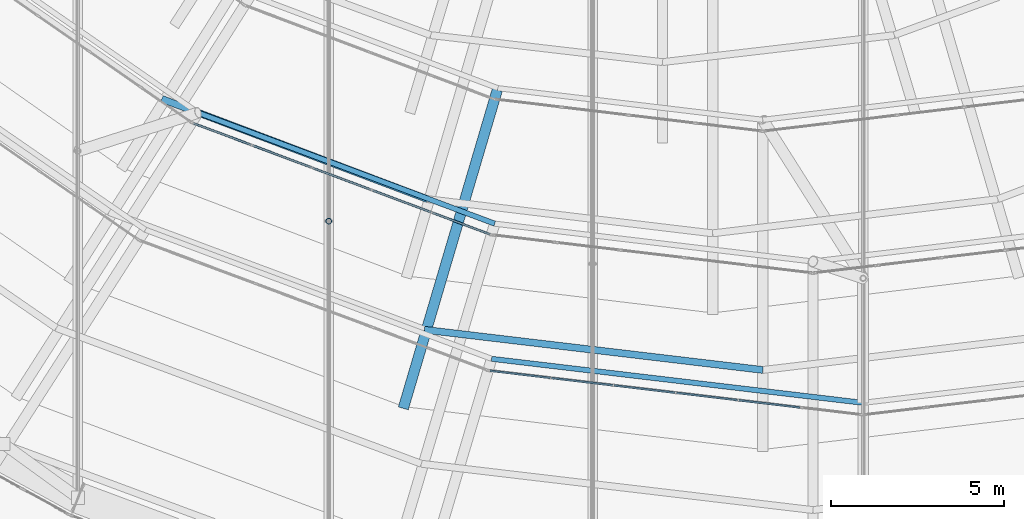
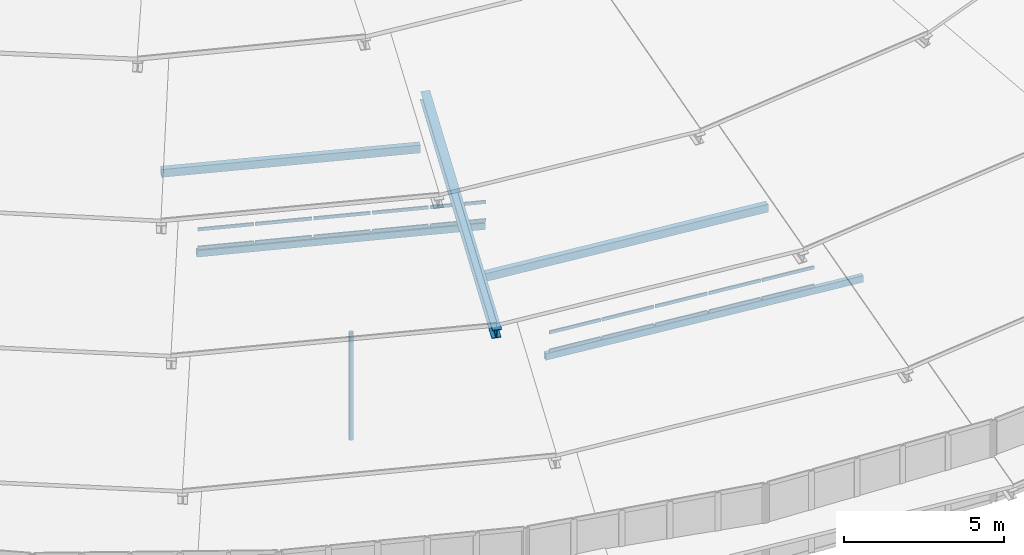
# One storey, part 11 of 173: 26 members, 2 elements without a shape of their own.
"""IFC4 building model written with IfcOpenShell, lengths in metres."""

from ifc_helpers import new_model, si_unit, direction, frame, origin, origin_2d, place, context, subcontext, project, spatial, rectangle, hollow_rectangle, hollow_circle, i_section, extrude, material, material_profile, profile_set, type_object, element, aggregate, save


model = new_model("IFC4")

# Units and contexts
model_context = context("Model", 3, precision=1e-05, world=origin(), true_north=direction((0.0, 1.0)))
body_context = subcontext(model_context, "Body", "Model", "MODEL_VIEW")
ifc_project = project(units=[si_unit("LENGTHUNIT", "METRE"), si_unit("AREAUNIT", "SQUARE_METRE"), si_unit("VOLUMEUNIT", "CUBIC_METRE"), si_unit("PLANEANGLEUNIT", "RADIAN"), si_unit("MASSUNIT", "GRAM", prefix="KILO")], contexts=[model_context])

# Site, building, storey
site_placement = place(None, origin())
site = spatial("IfcSite", under=ifc_project, at=site_placement, CompositionType="ELEMENT")
building_placement = place(site_placement, origin())
building = spatial("IfcBuilding", under=site, at=building_placement, Name="Glasvene Arena", CompositionType="ELEMENT")
storey_placement = place(building_placement, frame((0.0, 0.0, 28.800048828125)))
storey = spatial("IfcBuildingStorey", under=building, at=storey_placement, Name="RF", CompositionType="ELEMENT", Elevation=28.800048828125)

# Curtain wall, members
ifc_material_1 = material(Name="Low-emissivity laminated double glazing", Category="glass")
curtain_wall_type_1 = type_object("IfcCurtainWallType", Name="CW-PET1-1091x75", PredefinedType="USERDEFINED", material=ifc_material_1)
curtain_wall_1_placement = place(storey_placement, frame((81.16845703125, 36.584716796875, 0.0)))
curtain_wall_1 = element("IfcCurtainWall", 1, at=curtain_wall_1_placement, inside=storey, type_object=curtain_wall_type_1, Name="Petal ring 1-2 clerestory curtain wall 18", ObjectType="CURTAIN WALL", PredefinedType="USERDEFINED")
ifc_material_2 = material(Name="Anodised architectural aluminium", Category="aluminium")
ifc_material_profile_1 = material_profile(ifc_material_2, rectangle(XDim=0.050048828125, YDim=0.1201171875, at=origin_2d()), Name="ALU TRANSOM 50x120")
ifc_profile_set_1 = profile_set([ifc_material_profile_1], Name="Anodised architectural aluminium")
member_type_1 = type_object("IfcMemberType", Name="CW-TRN-120", PredefinedType="USERDEFINED", material=ifc_profile_set_1)
member_1_placement = place(storey_placement, frame((81.218017578125, 36.57861328125, 2.60498046875), z_axis=(0.993052725692, -0.117670234107, 0.0), x_axis=(0.117670234107, 0.993052725692, 0.0)))
member_1 = element("IfcMember", 2, at=member_1_placement, type_object=member_type_1, Name="CW-086 transom 1.1", ObjectType="TRANSOM", PredefinedType="USERDEFINED", context=body_context, shape_type="SweptSolid", body=[
    extrude(rectangle(XDim=0.050048828125, YDim=0.1201171875, at=origin_2d()), origin(), (0.0, 0.0, 1.0), 1.742919921875),
])
member_2_placement = place(storey_placement, frame((81.218017578125, 36.57861328125, 3.304931640625), z_axis=(0.993052725692, -0.117670234107, 0.0), x_axis=(0.117670234107, 0.993052725692, 0.0)))
member_2 = element("IfcMember", 3, at=member_2_placement, type_object=member_type_1, Name="CW-086 transom 1.2", ObjectType="TRANSOM", PredefinedType="USERDEFINED", context=body_context, shape_type="SweptSolid", body=[
    extrude(rectangle(XDim=0.050048828125, YDim=0.1201171875, at=origin_2d()), origin(), (0.0, 0.0, 1.0), 1.742919921875),
])
member_3_placement = place(storey_placement, frame((82.99853515625, 36.36767578125, 2.60498046875), z_axis=(0.993037974268, -0.117794658886, 0.0), x_axis=(0.117794658886, 0.993037974268, 0.0)))
member_3 = element("IfcMember", 4, at=member_3_placement, type_object=member_type_1, Name="CW-086 transom 2.1", ObjectType="TRANSOM", PredefinedType="USERDEFINED", context=body_context, shape_type="SweptSolid", body=[
    extrude(rectangle(XDim=0.050048828125, YDim=0.1201171875, at=origin_2d()), origin(), (0.0, 0.0, 1.0), 1.767822265625),
])
member_4_placement = place(storey_placement, frame((82.99853515625, 36.36767578125, 3.304931640625), z_axis=(0.993037974268, -0.117794658886, 0.0), x_axis=(0.117794658886, 0.993037974268, 0.0)))
member_4 = element("IfcMember", 5, at=member_4_placement, type_object=member_type_1, Name="CW-086 transom 2.2", ObjectType="TRANSOM", PredefinedType="USERDEFINED", context=body_context, shape_type="SweptSolid", body=[
    extrude(rectangle(XDim=0.050048828125, YDim=0.1201171875, at=origin_2d()), origin(), (0.0, 0.0, 1.0), 1.767822265625),
])
member_5_placement = place(storey_placement, frame((84.8037109375, 36.153564453125, 2.60498046875), z_axis=(0.993037974268, -0.117794658886, 0.0), x_axis=(0.117794658886, 0.993037974268, 0.0)))
member_5 = element("IfcMember", 6, at=member_5_placement, type_object=member_type_1, Name="CW-086 transom 3.1", ObjectType="TRANSOM", PredefinedType="USERDEFINED", context=body_context, shape_type="SweptSolid", body=[
    extrude(rectangle(XDim=0.050048828125, YDim=0.1201171875, at=origin_2d()), origin(), (0.0, 0.0, 1.0), 1.767822265625),
])
member_6_placement = place(storey_placement, frame((84.8037109375, 36.153564453125, 3.304931640625), z_axis=(0.993037974268, -0.117794658886, 0.0), x_axis=(0.117794658886, 0.993037974268, 0.0)))
member_6 = element("IfcMember", 7, at=member_6_placement, type_object=member_type_1, Name="CW-086 transom 3.2", ObjectType="TRANSOM", PredefinedType="USERDEFINED", context=body_context, shape_type="SweptSolid", body=[
    extrude(rectangle(XDim=0.050048828125, YDim=0.1201171875, at=origin_2d()), origin(), (0.0, 0.0, 1.0), 1.767822265625),
])
member_7_placement = place(storey_placement, frame((86.609130859375, 35.939453125, 2.60498046875), z_axis=(0.993037974268, -0.117794658886, 0.0), x_axis=(0.117794658886, 0.993037974268, 0.0)))
member_7 = element("IfcMember", 8, at=member_7_placement, type_object=member_type_1, Name="CW-086 transom 4.1", ObjectType="TRANSOM", PredefinedType="USERDEFINED", context=body_context, shape_type="SweptSolid", body=[
    extrude(rectangle(XDim=0.050048828125, YDim=0.1201171875, at=origin_2d()), origin(), (0.0, 0.0, 1.0), 1.767822265625),
])
member_8_placement = place(storey_placement, frame((86.609130859375, 35.939453125, 3.304931640625), z_axis=(0.993037974268, -0.117794658886, 0.0), x_axis=(0.117794658886, 0.993037974268, 0.0)))
member_8 = element("IfcMember", 9, at=member_8_placement, type_object=member_type_1, Name="CW-086 transom 4.2", ObjectType="TRANSOM", PredefinedType="USERDEFINED", context=body_context, shape_type="SweptSolid", body=[
    extrude(rectangle(XDim=0.050048828125, YDim=0.1201171875, at=origin_2d()), origin(), (0.0, 0.0, 1.0), 1.767822265625),
])
member_9_placement = place(storey_placement, frame((88.414306640625, 35.725341796875, 2.60498046875), z_axis=(0.993037974268, -0.117794658886, 0.0), x_axis=(0.117794658886, 0.993037974268, 0.0)))
member_9 = element("IfcMember", 10, at=member_9_placement, type_object=member_type_1, Name="CW-086 transom 5.1", ObjectType="TRANSOM", PredefinedType="USERDEFINED", context=body_context, shape_type="SweptSolid", body=[
    extrude(rectangle(XDim=0.050048828125, YDim=0.1201171875, at=origin_2d()), origin(), (0.0, 0.0, 1.0), 1.767822265625),
])
member_10_placement = place(storey_placement, frame((88.414306640625, 35.725341796875, 3.304931640625), z_axis=(0.993037974268, -0.117794658886, 0.0), x_axis=(0.117794658886, 0.993037974268, 0.0)))
member_10 = element("IfcMember", 11, at=member_10_placement, type_object=member_type_1, Name="CW-086 transom 5.2", ObjectType="TRANSOM", PredefinedType="USERDEFINED", context=body_context, shape_type="SweptSolid", body=[
    extrude(rectangle(XDim=0.050048828125, YDim=0.1201171875, at=origin_2d()), origin(), (0.0, 0.0, 1.0), 1.767822265625),
])
aggregate(curtain_wall_1, [member_1, member_2, member_3, member_4, member_5, member_6, member_7, member_8, member_9, member_10])

curtain_wall_type_2 = type_object("IfcCurtainWallType", Name="CW-PET2-925x75", PredefinedType="USERDEFINED", material=ifc_material_1)
curtain_wall_2_placement = place(storey_placement, frame((72.60009765625, 43.74755859375, 0.0)))
curtain_wall_2 = element("IfcCurtainWall", 12, at=curtain_wall_2_placement, inside=storey, type_object=curtain_wall_type_2, Name="Petal ring 2-3 clerestory curtain wall 17", ObjectType="CURTAIN WALL", PredefinedType="USERDEFINED")
member_11_placement = place(storey_placement, frame((72.646728515625, 43.72998046875, 5.204833984375), z_axis=(0.936521303433, -0.350610678981, 0.0), x_axis=(0.350610678981, 0.936521303433, 0.0)))
member_11 = element("IfcMember", 13, at=member_11_placement, type_object=member_type_1, Name="CW-091 transom 1.1", ObjectType="TRANSOM", PredefinedType="USERDEFINED", context=body_context, shape_type="SweptSolid", body=[
    extrude(rectangle(XDim=0.050048828125, YDim=0.1201171875, at=origin_2d()), origin(), (0.0, 0.0, 1.0), 1.774169921875),
])
member_12_placement = place(storey_placement, frame((72.646728515625, 43.72998046875, 5.905029296875), z_axis=(0.936521303433, -0.350610678981, 0.0), x_axis=(0.350610678981, 0.936521303433, 0.0)))
member_12 = element("IfcMember", 14, at=member_12_placement, type_object=member_type_1, Name="CW-091 transom 1.2", ObjectType="TRANSOM", PredefinedType="USERDEFINED", context=body_context, shape_type="SweptSolid", body=[
    extrude(rectangle(XDim=0.050048828125, YDim=0.1201171875, at=origin_2d()), origin(), (0.0, 0.0, 1.0), 1.774169921875),
])
member_13_placement = place(storey_placement, frame((74.35498046875, 43.09033203125, 5.204833984375), z_axis=(0.936518632538, -0.350617813167, 0.0), x_axis=(0.350617813167, 0.936518632538, 0.0)))
member_13 = element("IfcMember", 15, at=member_13_placement, type_object=member_type_1, Name="CW-091 transom 2.1", ObjectType="TRANSOM", PredefinedType="USERDEFINED", context=body_context, shape_type="SweptSolid", body=[
    extrude(rectangle(XDim=0.050048828125, YDim=0.1201171875, at=origin_2d()), origin(), (0.0, 0.0, 1.0), 1.79931640625),
])
member_14_placement = place(storey_placement, frame((74.35498046875, 43.09033203125, 5.905029296875), z_axis=(0.936518632538, -0.350617813167, 0.0), x_axis=(0.350617813167, 0.936518632538, 0.0)))
member_14 = element("IfcMember", 16, at=member_14_placement, type_object=member_type_1, Name="CW-091 transom 2.2", ObjectType="TRANSOM", PredefinedType="USERDEFINED", context=body_context, shape_type="SweptSolid", body=[
    extrude(rectangle(XDim=0.050048828125, YDim=0.1201171875, at=origin_2d()), origin(), (0.0, 0.0, 1.0), 1.79931640625),
])
member_15_placement = place(storey_placement, frame((76.086669921875, 42.44189453125, 5.204833984375), z_axis=(0.936563181625, -0.35049879718, 0.0), x_axis=(0.35049879718, 0.936563181625, 0.0)))
member_15 = element("IfcMember", 17, at=member_15_placement, type_object=member_type_1, Name="CW-091 transom 3.1", ObjectType="TRANSOM", PredefinedType="USERDEFINED", context=body_context, shape_type="SweptSolid", body=[
    extrude(rectangle(XDim=0.050048828125, YDim=0.1201171875, at=origin_2d()), origin(), (0.0, 0.0, 1.0), 1.799072265625),
])
member_16_placement = place(storey_placement, frame((76.086669921875, 42.44189453125, 5.905029296875), z_axis=(0.936563181625, -0.35049879718, 0.0), x_axis=(0.35049879718, 0.936563181625, 0.0)))
member_16 = element("IfcMember", 18, at=member_16_placement, type_object=member_type_1, Name="CW-091 transom 3.2", ObjectType="TRANSOM", PredefinedType="USERDEFINED", context=body_context, shape_type="SweptSolid", body=[
    extrude(rectangle(XDim=0.050048828125, YDim=0.1201171875, at=origin_2d()), origin(), (0.0, 0.0, 1.0), 1.799072265625),
])
member_17_placement = place(storey_placement, frame((77.818359375, 41.793701171875, 5.204833984375), z_axis=(0.936518632538, -0.350617813167, 0.0), x_axis=(0.350617813167, 0.936518632538, 0.0)))
member_17 = element("IfcMember", 19, at=member_17_placement, type_object=member_type_1, Name="CW-091 transom 4.1", ObjectType="TRANSOM", PredefinedType="USERDEFINED", context=body_context, shape_type="SweptSolid", body=[
    extrude(rectangle(XDim=0.050048828125, YDim=0.1201171875, at=origin_2d()), origin(), (0.0, 0.0, 1.0), 1.79931640625),
])
member_18_placement = place(storey_placement, frame((77.818359375, 41.793701171875, 5.905029296875), z_axis=(0.936518632538, -0.350617813167, 0.0), x_axis=(0.350617813167, 0.936518632538, 0.0)))
member_18 = element("IfcMember", 20, at=member_18_placement, type_object=member_type_1, Name="CW-091 transom 4.2", ObjectType="TRANSOM", PredefinedType="USERDEFINED", context=body_context, shape_type="SweptSolid", body=[
    extrude(rectangle(XDim=0.050048828125, YDim=0.1201171875, at=origin_2d()), origin(), (0.0, 0.0, 1.0), 1.79931640625),
])
member_19_placement = place(storey_placement, frame((79.550048828125, 41.145263671875, 5.204833984375), z_axis=(0.936521303433, -0.350610678981, 0.0), x_axis=(0.350610678981, 0.936521303433, 0.0)))
member_19 = element("IfcMember", 21, at=member_19_placement, type_object=member_type_1, Name="CW-091 transom 5.1", ObjectType="TRANSOM", PredefinedType="USERDEFINED", context=body_context, shape_type="SweptSolid", body=[
    extrude(rectangle(XDim=0.050048828125, YDim=0.1201171875, at=origin_2d()), origin(), (0.0, 0.0, 1.0), 1.774169921875),
])
member_20_placement = place(storey_placement, frame((79.550048828125, 41.145263671875, 5.905029296875), z_axis=(0.936521303433, -0.350610678981, 0.0), x_axis=(0.350610678981, 0.936521303433, 0.0)))
member_20 = element("IfcMember", 22, at=member_20_placement, type_object=member_type_1, Name="CW-091 transom 5.2", ObjectType="TRANSOM", PredefinedType="USERDEFINED", context=body_context, shape_type="SweptSolid", body=[
    extrude(rectangle(XDim=0.050048828125, YDim=0.1201171875, at=origin_2d()), origin(), (0.0, 0.0, 1.0), 1.774169921875),
])
aggregate(curtain_wall_2, [member_11, member_12, member_13, member_14, member_15, member_16, member_17, member_18, member_19, member_20])

# Members
ifc_material_3 = material(Name="Steel S355J2", Category="steel")
ifc_material_profile_2 = material_profile(ifc_material_3, i_section(OverallWidth=0.300048828125, OverallDepth=0.39990234375, WebThickness=0.013427734375, FlangeThickness=0.02392578125, FilletRadius=0.027099609375, at=origin_2d()), Name="HEB 400")
ifc_profile_set_2 = profile_set([ifc_material_profile_2], Name="Steel S355J2")
member_type_2 = type_object("IfcMemberType", Name="MB-CHORD-HEB400", PredefinedType="CHORD", material=ifc_profile_set_2)
member_21_placement = place(storey_placement, frame((78.721435546875, 35.540283203125, 4.75), z_axis=(0.273259819694, 0.925734843306, 0.261426989482), x_axis=(-0.959088832468, 0.283105300968, 0.0)))
element("IfcMember", 23, at=member_21_placement, inside=storey, type_object=member_type_2, Name="Petal ring 3 radial rib 18", PredefinedType="CHORD", context=body_context, shape_type="SweptSolid", body=[
    extrude(i_section(OverallWidth=0.300048828125, OverallDepth=0.39990234375, WebThickness=0.013427734375, FlangeThickness=0.02392578125, FilletRadius=0.027099609375, at=origin_2d()), origin(), (0.0, 0.0, 1.0), 9.94482421875),
])
ifc_material_profile_3 = material_profile(ifc_material_3, hollow_rectangle(XDim=0.14990234375, YDim=0.25, WallThickness=0.010009765625, at=origin_2d()), Name="RHS 250x150x10.0")
ifc_profile_set_3 = profile_set([ifc_material_profile_3], Name="Steel S355J2")
member_type_3 = type_object("IfcMemberType", Name="MB-PURLIN-RHS250", PredefinedType="PURLIN", material=ifc_profile_set_3)
member_22_placement = place(storey_placement, frame((81.259033203125, 36.922607421875, 2.181884765625), z_axis=(0.993053039343, -0.117667587092, 0.0), x_axis=(0.117667587092, 0.993053039343, 0.0)))
element("IfcMember", 24, at=member_22_placement, inside=storey, type_object=member_type_3, Name="Petal ring 1 ridge purlin 18", PredefinedType="PURLIN", context=body_context, shape_type="SweptSolid", body=[
    extrude(hollow_rectangle(XDim=0.14990234375, YDim=0.25, WallThickness=0.010009765625, at=origin_2d()), origin(), (0.0, 0.0, 1.0), 10.816162109375),
])
member_23_placement = place(storey_placement, frame((72.77490234375, 44.037841796875, 4.781982421875), z_axis=(0.936583192189, -0.350445322567, 0.0), x_axis=(0.350445322567, 0.936583192189, 0.0)))
element("IfcMember", 25, at=member_23_placement, inside=storey, type_object=member_type_3, Name="Petal ring 2 ridge purlin 17", PredefinedType="PURLIN", context=body_context, shape_type="SweptSolid", body=[
    extrude(hollow_rectangle(XDim=0.14990234375, YDim=0.25, WallThickness=0.010009765625, at=origin_2d()), origin(), (0.0, 0.0, 1.0), 9.15478515625),
])
ifc_material_profile_4 = material_profile(ifc_material_3, hollow_rectangle(XDim=0.199951171875, YDim=0.300048828125, WallThickness=0.012451171875, at=origin_2d()), Name="RHS 300x200x12.5")
ifc_profile_set_4 = profile_set([ifc_material_profile_4], Name="Steel S355J2")
member_type_4 = type_object("IfcMemberType", Name="MB-PURLIN-RHS300", PredefinedType="PURLIN", material=ifc_profile_set_4)
member_24_placement = place(storey_placement, frame((79.316650390625, 37.761962890625, 5.33935546875), z_axis=(0.993021962168, -0.11792956649, 0.0), x_axis=(0.11792956649, 0.993021962168, 0.0)))
element("IfcMember", 26, at=member_24_placement, inside=storey, type_object=member_type_4, Name="Petal ring 3 outer purlin 18", PredefinedType="PURLIN", context=body_context, shape_type="SweptSolid", body=[
    extrude(hollow_rectangle(XDim=0.199951171875, YDim=0.300048828125, WallThickness=0.012451171875, at=origin_2d()), origin(), (0.0, 0.0, 1.0), 9.852294921875),
])
member_25_placement = place(storey_placement, frame((71.72509765625, 44.435302734375, 8.00048828125), z_axis=(0.935658977832, -0.352905479132, 0.0), x_axis=(0.352905479132, 0.935658977832, 0.0)))
element("IfcMember", 27, at=member_25_placement, inside=storey, type_object=member_type_4, Name="Petal ring 4 outer purlin 17", PredefinedType="PURLIN", context=body_context, shape_type="SweptSolid", body=[
    extrude(hollow_rectangle(XDim=0.199951171875, YDim=0.300048828125, WallThickness=0.012451171875, at=origin_2d()), origin(), (0.0, 0.0, 1.0), 8.209716796875),
])
ifc_material_profile_5 = material_profile(ifc_material_3, hollow_circle(Radius=0.084228515625, WallThickness=0.008056640625, at=origin_2d()), Name="CHS 168.3x8.0")
ifc_profile_set_5 = profile_set([ifc_material_profile_5], Name="Steel S355J2")
member_type_5 = type_object("IfcMemberType", Name="MB-WEB-CHS168", PredefinedType="BRACE", material=ifc_profile_set_5)
member_26_placement = place(storey_placement, frame((76.54931640625, 40.90185546875, -1.753173828125), z_axis=(0.0, 0.0, 1.0), x_axis=(1.0, 0.0, 0.0)))
element("IfcMember", 28, at=member_26_placement, inside=storey, type_object=member_type_5, Name="Cable-truss vertical strut NS07-01", PredefinedType="BRACE", context=body_context, shape_type="SweptSolid", body=[
    extrude(hollow_circle(Radius=0.084228515625, WallThickness=0.008056640625, at=origin_2d()), origin(), (0.0, 0.0, 1.0), 4.08203125),
])

save(model, "model.ifc")
